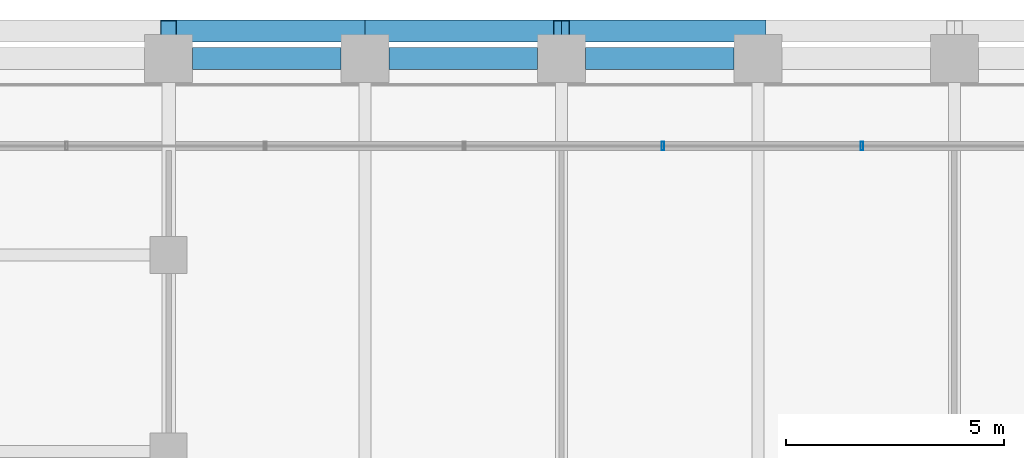
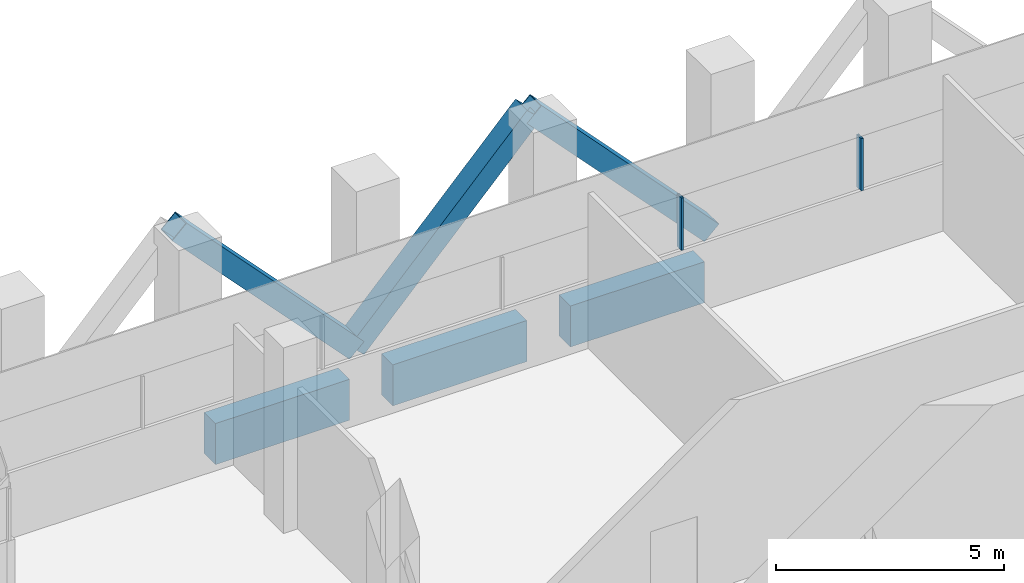
# One storey, part 20 of 44: 5 members, 3 beams, 1 element without a shape of its own.
"""IFC4 building model written with IfcOpenShell, lengths in metres."""

from ifc_helpers import new_model, si_unit, direction, frame, origin, origin_2d, place, context, subcontext, project, spatial, rectangle, hollow_rectangle, extrude, material, material_profile, profile_set, type_object, element, aggregate, save


model = new_model("IFC4")

# Units and contexts
model_context = context("Model", 3, precision=1e-05, world=origin(), true_north=direction((0.0, 1.0)))
body_context = subcontext(model_context, "Body", "Model", "MODEL_VIEW")
ifc_project = project(units=[si_unit("LENGTHUNIT", "METRE"), si_unit("AREAUNIT", "SQUARE_METRE"), si_unit("VOLUMEUNIT", "CUBIC_METRE"), si_unit("PLANEANGLEUNIT", "RADIAN"), si_unit("MASSUNIT", "GRAM", prefix="KILO")], contexts=[model_context])

# Site, building, storey
site_placement = place(None, origin())
site = spatial("IfcSite", under=ifc_project, at=site_placement, CompositionType="ELEMENT")
building_placement = place(site_placement, origin())
building = spatial("IfcBuilding", under=site, at=building_placement, Name="Altepetl Exchange Towers", CompositionType="ELEMENT")
storey_placement = place(building_placement, frame((0.0, 0.0, 87.0)))
storey = spatial("IfcBuildingStorey", under=building, at=storey_placement, Name="L21 Refuge", CompositionType="ELEMENT", Elevation=87.0)

# Members
ifc_material_1 = material(Name="Steel S355", Category="steel")
ifc_material_profile_1 = material_profile(ifc_material_1, hollow_rectangle(XDim=0.508056640625, YDim=0.508056640625, WallThickness=0.017578125, at=origin_2d()), Name="HSS508X508X19.0")
ifc_profile_set_1 = profile_set([ifc_material_profile_1], Name="Steel S355")
member_type_1 = type_object("IfcMemberType", Name="Belt diagonal HSS508X508X19.0", PredefinedType="BRACE", material=ifc_profile_set_1)
for number, where, z_axis, x_axis, name in (
    (1, (54.0, 72.6298828125, 0.0), (-0.687744647911, 0.0, 0.725952683906), (0.0, -1.0, 0.0), "brc:A:L21:016"),
    (2, (49.5, 72.6298828125, 4.75), (-0.687744647911, 0.0, -0.725952683906), (0.0, -1.0, 0.0), "brc:A:L21:017"),
    (3, (45.0, 72.6298828125, 0.0), (-0.687744647911, 0.0, 0.725952683906), (0.0, -1.0, 0.0), "brc:A:L21:018"),
):
    element("IfcMember", number, at=place(storey_placement, frame(where, z_axis=z_axis, x_axis=x_axis)), inside=storey, type_object=member_type_1, Name=name, PredefinedType="BRACE", context=body_context, shape_type="SweptSolid", body=[
        extrude(hollow_rectangle(XDim=0.508056640625, YDim=0.508056640625, WallThickness=0.017578125, at=origin_2d()), origin(), (0.0, 0.0, 1.0), 6.543212890625),
    ])

# Curtain wall, members
ifc_material_2 = material(Name="Aluminium 6063-T6 glazing", Category="aluminium")
curtain_wall_type = type_object("IfcCurtainWallType", Name="Refuge slit glazing system", PredefinedType="NOTDEFINED", material=ifc_material_2)
curtain_wall_placement = place(storey_placement, origin())
curtain_wall = element("IfcCurtainWall", 4, at=curtain_wall_placement, inside=storey, type_object=curtain_wall_type, Name="CW3 run", PredefinedType="NOTDEFINED")
ifc_material_3 = material(Name="Aluminium 6063-T6", Category="aluminium")
ifc_material_profile_2 = material_profile(ifc_material_3, hollow_rectangle(XDim=0.06005859375, YDim=0.199951171875, WallThickness=0.0029296875, at=origin_2d()), Name="Mullion 60x200 aluminium")
ifc_profile_set_2 = profile_set([ifc_material_profile_2], Name="Aluminium 6063-T6")
member_type_2 = type_object("IfcMemberType", Name="Mullion 60x200 aluminium", PredefinedType="MULLION", material=ifc_profile_set_2)
member_1_placement = place(storey_placement, frame((56.3857421875, 70.0, 1.800048828125), z_axis=(0.0, 0.0, 1.0), x_axis=(-1.0, 0.0, 0.0)))
member_1 = element("IfcMember", 5, at=member_1_placement, type_object=member_type_2, Name="MU2 mullion", PredefinedType="MULLION", context=body_context, shape_type="SweptSolid", body=[
    extrude(hollow_rectangle(XDim=0.06005859375, YDim=0.199951171875, WallThickness=0.0029296875, at=origin_2d()), origin(), (0.0, 0.0, 1.0), 1.39990234375),
])
member_2_placement = place(storey_placement, frame((51.82861328125, 70.0, 1.800048828125), z_axis=(0.0, 0.0, 1.0), x_axis=(-1.0, 0.0, 0.0)))
member_2 = element("IfcMember", 6, at=member_2_placement, type_object=member_type_2, Name="MU2 mullion", PredefinedType="MULLION", context=body_context, shape_type="SweptSolid", body=[
    extrude(hollow_rectangle(XDim=0.06005859375, YDim=0.199951171875, WallThickness=0.0029296875, at=origin_2d()), origin(), (0.0, 0.0, 1.0), 1.39990234375),
])
aggregate(curtain_wall, [member_1, member_2])

# Beams
ifc_material_4 = material(Name="Concrete C50/60 precast with cantera rosa facing", Category="concrete")
ifc_material_profile_3 = material_profile(ifc_material_4, rectangle(XDim=0.5, YDim=1.10009765625, at=origin_2d()), Name="500 x 1100")
ifc_profile_set_3 = profile_set([ifc_material_profile_3], Name="Concrete C50/60 precast with cantera rosa facing")
beam_type = type_object("IfcBeamType", Name="Spandrel beam 500x1100 cantera rosa", PredefinedType="SPANDREL", material=ifc_profile_set_3)
for number, where, z_axis, x_axis, name in (
    (7, (53.449951171875, 72.0, -0.75), (-1.0, 0.0, 0.0), (0.0, -1.0, 0.0), "sp:A:L21:027"),
    (8, (48.949951171875, 72.0, -0.75), (-1.0, 0.0, 0.0), (0.0, -1.0, 0.0), "sp:A:L21:028"),
    (9, (44.449951171875, 72.0, -0.75), (-1.0, 0.0, 0.0), (0.0, -1.0, 0.0), "sp:A:L21:029"),
):
    element("IfcBeam", number, at=place(storey_placement, frame(where, z_axis=z_axis, x_axis=x_axis)), inside=storey, type_object=beam_type, Name=name, PredefinedType="SPANDREL", context=body_context, shape_type="SweptSolid", body=[
        extrude(rectangle(XDim=0.5, YDim=1.10009765625, at=origin_2d()), origin(), (0.0, 0.0, 1.0), 3.39990234375),
    ])

save(model, "model.ifc")
